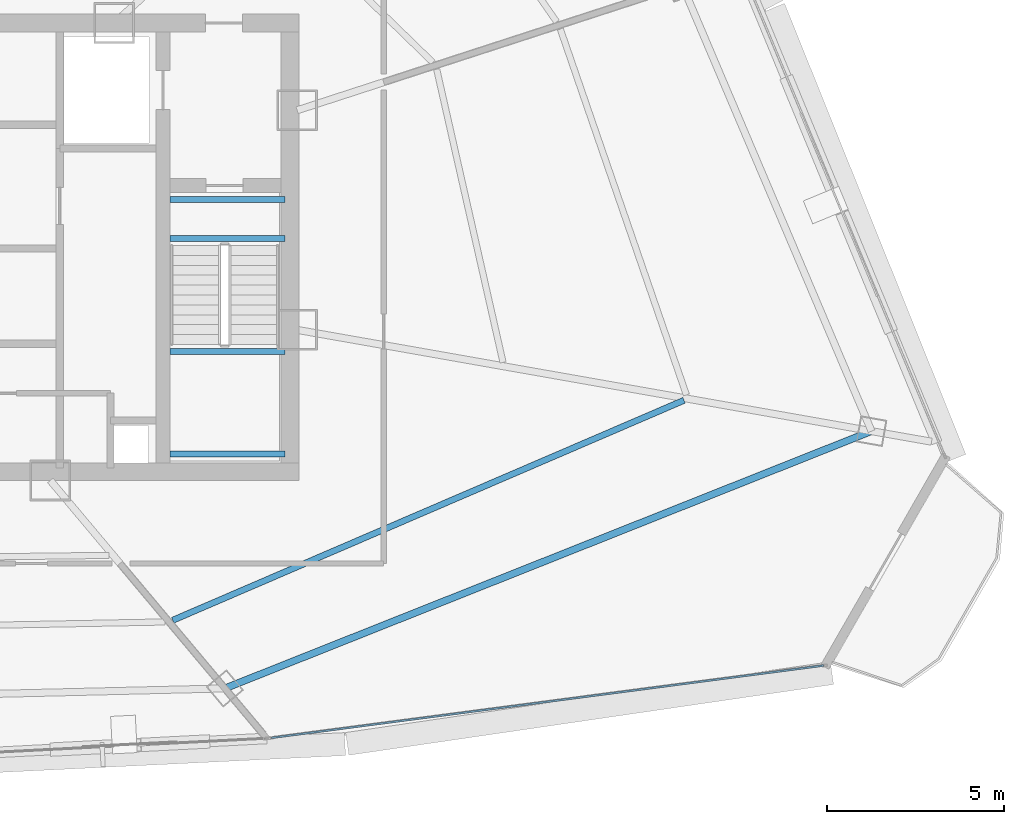
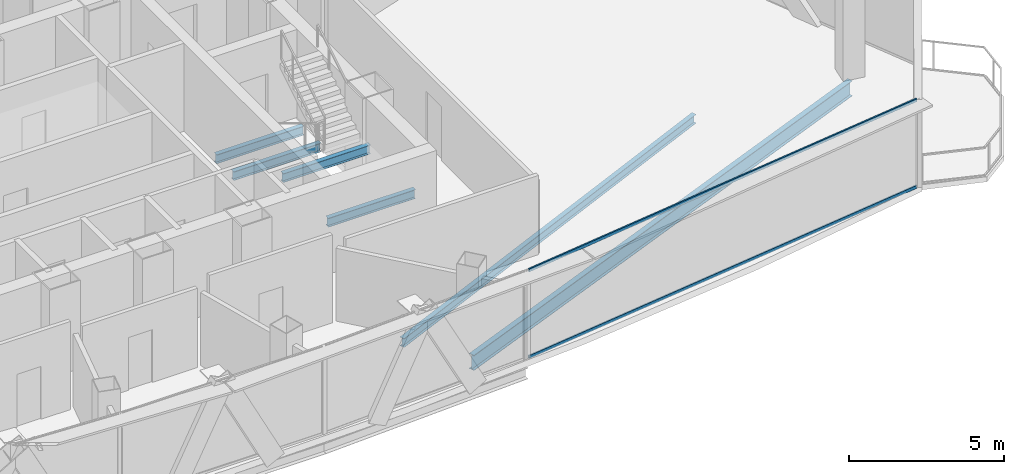
# One storey, part 11 of 33: 6 beams, 2 members, 1 element without a shape of its own.
"""IFC4 building model written with IfcOpenShell, lengths in metres."""

import ifcopenshell
import ifcopenshell.guid

model = None  # the IFC model being written
_history = None  # IfcOwnerHistory: only IFC2X3 demands one
_inside = {}  # id of a spatial element -> (the spatial element, [elements in it])
_under = {}  # id of a project, library or spatial element -> (it, [spatial elements below it])
_declared = {}  # id of a project -> (the project, [libraries it declares])
_typed = {}  # id of a type object -> (the type object, [elements of that type])
_made_of = {}  # id of a material, layer set ... -> (it, [elements and type objects made of it])


def new_model(schema):
    """Start an empty IFC model of exactly this schema.

    Asked for "IFC4X3", IfcOpenShell would pick the latest addendum, in which some entities
    have other attributes; the version numbers below select the first issue.
    IFC2X3 requires an IfcOwnerHistory on every rooted entity: one is made here for all.
    """
    global model, _history
    if schema == "IFC4X3":
        model = ifcopenshell.file(schema_version=(4, 3, 0, 0))
    else:
        model = ifcopenshell.file(schema=schema)
    _inside.clear()
    _under.clear()
    _declared.clear()
    _typed.clear()
    _made_of.clear()
    _history = None
    if model.schema == "IFC2X3":
        org = make("IfcOrganization", Name="unknown")
        user = make(
            "IfcPersonAndOrganization",
            ThePerson=make("IfcPerson", FamilyName="unknown"),
            TheOrganization=org,
        )
        app = make(
            "IfcApplication",
            ApplicationDeveloper=org,
            Version="unknown",
            ApplicationFullName="unknown",
            ApplicationIdentifier="unknown",
        )
        _history = make(
            "IfcOwnerHistory",
            OwningUser=user,
            OwningApplication=app,
            ChangeAction="ADDED",
            CreationDate=0,
        )
    return model


def make(cls, **values):
    """One entity of the class cls with the attributes given. An attribute that is None is left unset."""
    return model.create_entity(
        cls, **{name: value for name, value in values.items() if value is not None}
    )


def rooted(cls, **values):
    """An entity with a GlobalId (a new one), such as an element, a storey or a relation."""
    return make(cls, GlobalId=ifcopenshell.guid.new(), OwnerHistory=_history, **values)


def si_unit(unit_type, name, prefix=None):
    """IfcSIUnit, for example si_unit("LENGTHUNIT", "METRE", prefix="MILLI")."""
    return make("IfcSIUnit", UnitType=unit_type, Prefix=prefix, Name=name)


def assignment(units):
    """IfcUnitAssignment: the units of a project."""
    return None if units is None else make("IfcUnitAssignment", Units=units)


def point(xyz):
    """IfcCartesianPoint."""
    return None if xyz is None else make("IfcCartesianPoint", Coordinates=xyz)


def direction(xyz):
    """IfcDirection."""
    return None if xyz is None else make("IfcDirection", DirectionRatios=xyz)


def frame(location, z_axis=None, x_axis=None):
    """IfcAxis2Placement3D, a coordinate frame: its origin and axes. An axis left out is left unset."""
    return make(
        "IfcAxis2Placement3D",
        Location=point(location),
        Axis=direction(z_axis),
        RefDirection=direction(x_axis),
    )


def frame_2d(location, x_axis=None):
    """IfcAxis2Placement2D, a coordinate frame in the plane: its origin and x axis."""
    return make(
        "IfcAxis2Placement2D", Location=point(location), RefDirection=direction(x_axis)
    )


def origin():
    """The frame at (0, 0, 0) with its axes left unset."""
    return frame((0.0, 0.0, 0.0))


def origin_2d():
    """The frame at (0, 0) in the plane with its x axis left unset."""
    return frame_2d((0.0, 0.0))


def place(relative_to, where):
    """IfcLocalPlacement: puts the frame where relative to a parent placement (None: the world)."""
    return make(
        "IfcLocalPlacement", PlacementRelTo=relative_to, RelativePlacement=where
    )


def context(
    kind, dimensions, precision=None, world=None, true_north=None, identifier=None
):
    """IfcGeometricRepresentationContext, for example the 3D "Model" context."""
    return make(
        "IfcGeometricRepresentationContext",
        ContextIdentifier=identifier,
        ContextType=kind,
        CoordinateSpaceDimension=dimensions,
        Precision=precision,
        WorldCoordinateSystem=world,
        TrueNorth=true_north,
    )


def subcontext(parent, identifier, kind, view, scale=None):
    """IfcGeometricRepresentationSubContext, for example "Body" below "Model"."""
    return make(
        "IfcGeometricRepresentationSubContext",
        ContextIdentifier=identifier,
        ContextType=kind,
        ParentContext=parent,
        TargetScale=scale,
        TargetView=view,
    )


def project(units=None, contexts=None):
    """IfcProject with its units and contexts."""
    return rooted(
        "IfcProject",
        Name="project",
        RepresentationContexts=contexts,
        UnitsInContext=assignment(units),
    )


def spatial(cls, under=None, at=None, **own):
    """A site, building, storey or space (cls), placed at a placement, below another one or the project."""
    s = rooted(cls, ObjectPlacement=at, **own)
    if under is not None:
        _under.setdefault(under.id(), (under, []))[1].append(s)
    return s


def profile(cls, at=None, kind="AREA", **sizes):
    """A parametric profile (cls). Its sizes go by their IFC names, for example OverallWidth=200.0."""
    return make(cls, ProfileType=kind, Position=at, **sizes)


def hollow_rectangle(**sizes):
    """IfcRectangleHollowProfileDef."""
    return profile("IfcRectangleHollowProfileDef", **sizes)


def i_section(**sizes):
    """IfcIShapeProfileDef."""
    return profile("IfcIShapeProfileDef", **sizes)


def extrude(swept, where, along, depth):
    """IfcExtrudedAreaSolid: the profile swept, set in the frame where, extruded along a direction by depth."""
    return make(
        "IfcExtrudedAreaSolid",
        SweptArea=swept,
        Position=where,
        ExtrudedDirection=direction(along),
        Depth=depth,
    )


def shape(context_of_items, identifier, shape_type, items):
    """IfcShapeRepresentation: the items that make up one representation, for example the "Body"."""
    return make(
        "IfcShapeRepresentation",
        ContextOfItems=context_of_items,
        RepresentationIdentifier=identifier,
        RepresentationType=shape_type,
        Items=items,
    )


def source(mapping_origin, context_of_items, identifier, shape_type, items):
    """IfcRepresentationMap: a shape defined once, which mapped items show again and again."""
    return make(
        "IfcRepresentationMap",
        MappingOrigin=mapping_origin,
        MappedRepresentation=shape(context_of_items, identifier, shape_type, items),
    )


def transform(
    local_origin,
    x_axis=None,
    y_axis=None,
    z_axis=None,
    scale=None,
    scale2=None,
    scale3=None,
    uniform=True,
):
    """IfcCartesianTransformationOperator3D, or its non-uniform kind. x_axis, y_axis, z_axis: its Axis1, 2, 3."""
    if uniform:
        return make(
            "IfcCartesianTransformationOperator3D",
            Axis1=direction(x_axis),
            Axis2=direction(y_axis),
            LocalOrigin=point(local_origin),
            Scale=scale,
            Axis3=direction(z_axis),
        )
    return make(
        "IfcCartesianTransformationOperator3DnonUniform",
        Axis1=direction(x_axis),
        Axis2=direction(y_axis),
        LocalOrigin=point(local_origin),
        Scale=scale,
        Axis3=direction(z_axis),
        Scale2=scale2,
        Scale3=scale3,
    )


def mapped(mapping_source, mapping_target):
    """IfcMappedItem: shows the shape of a source again, moved by a transform."""
    return make(
        "IfcMappedItem", MappingSource=mapping_source, MappingTarget=mapping_target
    )


def material(Name=None, Category=None):
    """IfcMaterial."""
    return make("IfcMaterial", Name=Name, Category=Category)


def layer(
    of_material, thickness, ventilated=None, Name=None, Category=None, Priority=None
):
    """IfcMaterialLayer: one layer of a wall or slab, of a material (None: an air gap)."""
    return make(
        "IfcMaterialLayer",
        Material=of_material,
        LayerThickness=thickness,
        IsVentilated=ventilated,
        Name=Name,
        Category=Category,
        Priority=Priority,
    )


def layer_set(layers, Name=None):
    """IfcMaterialLayerSet."""
    return make("IfcMaterialLayerSet", MaterialLayers=layers, LayerSetName=Name)


def material_profile(
    of_material, cross_section, Name=None, Category=None, Priority=None
):
    """IfcMaterialProfile: a cross section and its material."""
    return make(
        "IfcMaterialProfile",
        Name=Name,
        Material=of_material,
        Profile=cross_section,
        Priority=Priority,
        Category=Category,
    )


def profile_set(profiles, Name=None, composite=None):
    """IfcMaterialProfileSet."""
    return make(
        "IfcMaterialProfileSet",
        Name=Name,
        MaterialProfiles=profiles,
        CompositeProfile=composite,
    )


def made_of(thing, what):
    """Note that an element or type object is made of a material, layer set ...; save() writes the relation."""
    if what is not None:
        _made_of.setdefault(what.id(), (what, []))[1].append(thing)
    return thing


def type_object(cls, material=None, **own):
    """A type object (cls), such as IfcWallType, which elements share."""
    return made_of(rooted(cls, **own), material)


def element(
    cls,
    number,
    at=None,
    inside=None,
    cuts=None,
    type_object=None,
    material=None,
    context=None,
    identifier="Body",
    shape_type=None,
    held_by="IfcProductDefinitionShape",
    body=None,
    shapes=None,
    **own,
):
    """One element of the class cls, such as IfcWall. Its Tag is "e" and its number.

    at: its placement. inside: the storey or other place that contains it. cuts: it is an
    opening in that element (IfcRelVoidsElement). A single representation is given by context,
    identifier, shape_type and body (its items); several are given by shapes. held_by: the class
    of the entity that holds the representations. save() writes the other relations.
    """
    e = rooted(cls, Tag="e%d" % number, ObjectPlacement=at, **own)
    if body is not None:
        shapes = [shape(context, identifier, shape_type, body)]
    if shapes is not None:
        e.Representation = make(held_by, Representations=shapes)
    if inside is not None:
        _inside.setdefault(inside.id(), (inside, []))[1].append(e)
    if cuts is not None:
        rooted(
            "IfcRelVoidsElement", RelatingBuildingElement=cuts, RelatedOpeningElement=e
        )
    if type_object is not None:
        _typed.setdefault(type_object.id(), (type_object, []))[1].append(e)
    return made_of(e, material)


def aggregate(whole, parts):
    """IfcRelAggregates: a whole, such as a stair, and the parts it consists of."""
    return rooted("IfcRelAggregates", RelatingObject=whole, RelatedObjects=parts)


def save(model, path):
    """Write the relations noted so far, then the file.

    IfcRelAggregates (storeys below a building ...), IfcRelContainedInSpatialStructure (elements
    in a storey), IfcRelDefinesByType, IfcRelAssociatesMaterial and IfcRelDeclares: one each for
    every whole, place, type object, material and project.
    """
    for whole, parts in _under.values():
        aggregate(whole, parts)
    for where, things in _inside.values():
        rooted(
            "IfcRelContainedInSpatialStructure",
            RelatedElements=things,
            RelatingStructure=where,
        )
    for kind, things in _typed.values():
        rooted("IfcRelDefinesByType", RelatedObjects=things, RelatingType=kind)
    for what, things in _made_of.values():
        rooted("IfcRelAssociatesMaterial", RelatedObjects=things, RelatingMaterial=what)
    for by, libraries in _declared.values():
        rooted("IfcRelDeclares", RelatingContext=by, RelatedDefinitions=libraries)
    model.write(path)


model = new_model("IFC4")

# Units and contexts
model_context = context("Model", 3, precision=1e-05, world=origin(), true_north=direction((0.0, 1.0)))
body_context = subcontext(model_context, "Body", "Model", "MODEL_VIEW")
ifc_project = project(units=[si_unit("LENGTHUNIT", "METRE"), si_unit("AREAUNIT", "SQUARE_METRE"), si_unit("VOLUMEUNIT", "CUBIC_METRE"), si_unit("PLANEANGLEUNIT", "RADIAN"), si_unit("MASSUNIT", "GRAM", prefix="KILO"), si_unit("THERMODYNAMICTEMPERATUREUNIT", "KELVIN"), si_unit("POWERUNIT", "WATT")], contexts=[model_context])

# Site, building, storey
site_placement = place(None, origin())
site = spatial("IfcSite", under=ifc_project, at=site_placement, CompositionType="ELEMENT")
building_placement = place(site_placement, origin())
building = spatial("IfcBuilding", under=site, at=building_placement, Name="Yunzhuo Pagoda Commons", CompositionType="ELEMENT")
storey_placement = place(building_placement, frame((0.0, 0.0, 307.39990234375)))
storey = spatial("IfcBuildingStorey", under=building, at=storey_placement, Name="L77", CompositionType="ELEMENT", Elevation=307.39990234375)

# Beams
ifc_material_1 = material(Name="Structural steel Q355B", Category="steel")
ifc_material_profile_1 = material_profile(ifc_material_1, i_section(OverallWidth=0.175048828125, OverallDepth=0.35009765625, WebThickness=0.007080078125, FlangeThickness=0.010986328125, at=origin_2d()), Name="Structural steel Q355B")
ifc_profile_set_1 = profile_set([ifc_material_profile_1], Name="Structural steel Q355B")
beam_type_1 = type_object("IfcBeamType", Name="B-JS2 Joist HN 350x175x7x11", PredefinedType="JOIST", material=ifc_profile_set_1)
shared_shape_1 = source(origin(), body_context, "Body", "SweptSolid", [
    extrude(i_section(OverallWidth=0.175048828125, OverallDepth=0.35009765625, WebThickness=0.007080078125, FlangeThickness=0.010986328125, at=origin_2d()), origin(), (0.0, 0.0, 1.0), 3.25),
])
for number, where, z_axis, x_axis, name in (
    (1, (56.800048828125, 28.0, 1.489990234375), (1.0, 0.0, 0.0), (0.0, 1.0, 0.0), "L77 ST2 landing support beam 83A"),
    (2, (56.800048828125, 30.89990234375, 1.489990234375), (1.0, 0.0, 0.0), (0.0, 1.0, 0.0), "L77 ST2 landing support beam 83B"),
    (3, (56.800048828125, 34.10009765625, -0.375), (1.0, 0.0, 0.0), (0.0, 1.0, 0.0), "L77 ST2 landing support beam 181A"),
    (4, (56.800048828125, 35.199951171875, -0.375), (1.0, 0.0, 0.0), (0.0, 1.0, 0.0), "L77 ST2 landing support beam 181B"),
):
    element("IfcBeam", number, at=place(storey_placement, frame(where, z_axis=z_axis, x_axis=x_axis)), inside=storey, type_object=beam_type_1, Name=name, PredefinedType="JOIST", context=body_context, shape_type="MappedRepresentation", body=[
        mapped(shared_shape_1, transform((0.0, 0.0, 0.0), scale=1.0)),
    ])
ifc_material_profile_2 = material_profile(ifc_material_1, i_section(OverallWidth=0.199951171875, OverallDepth=0.60009765625, WebThickness=0.010986328125, FlangeThickness=0.01708984375, at=origin_2d()), Name="Structural steel Q355B")
ifc_profile_set_2 = profile_set([ifc_material_profile_2], Name="Structural steel Q355B")
beam_type_2 = type_object("IfcBeamType", Name="B-RG3 Beam HN 600x200x11x17", PredefinedType="BEAM", material=ifc_profile_set_2)
shared_shape_2 = source(origin(), body_context, "Body", "SweptSolid", [
    extrude(i_section(OverallWidth=0.199951171875, OverallDepth=0.60009765625, WebThickness=0.010986328125, FlangeThickness=0.01708984375, at=origin_2d()), origin(), (0.0, 0.0, 1.0), 19.7041015625),
])
beam_1_placement = place(storey_placement, frame((58.353515625, 21.361572265625, -0.559814453125), z_axis=(0.929150216007, 0.369702415592, 0.0), x_axis=(-0.369702415592, 0.929150216007, 0.0)))
element("IfcBeam", 5, at=beam_1_placement, inside=storey, type_object=beam_type_2, Name="L77 column-ring beam 4", PredefinedType="BEAM", context=body_context, shape_type="MappedRepresentation", body=[
    mapped(shared_shape_2, transform((0.0, 0.0, 0.0), scale=1.0)),
])
shared_shape_3 = source(origin(), body_context, "Body", "SweptSolid", [
    extrude(i_section(OverallWidth=0.175048828125, OverallDepth=0.35009765625, WebThickness=0.007080078125, FlangeThickness=0.010986328125, at=origin_2d()), origin(), (0.0, 0.0, 1.0), 15.757080078125),
])
beam_2_placement = place(storey_placement, frame((56.8779296875, 23.291259765625, -0.434814453125), z_axis=(0.918592756952, 0.395205448945, 0.0), x_axis=(-0.395205448945, 0.918592756952, 0.0)))
element("IfcBeam", 6, at=beam_2_placement, inside=storey, type_object=beam_type_1, Name="L77 composite ring joist 2.4", PredefinedType="JOIST", context=body_context, shape_type="MappedRepresentation", body=[
    mapped(shared_shape_3, transform((0.0, 0.0, 0.0), scale=1.0)),
])

# Curtain wall, members
ifc_material_2 = material(Name="Anodized aluminium 6063-T6", Category="aluminium")
ifc_layer = layer(ifc_material_2, 0.139892578125)
ifc_layer_set = layer_set([ifc_layer], Name="Anodized aluminium 6063-T6")
curtain_wall_type = type_object("IfcCurtainWallType", Name="CW-HI High-Zone Ribbon Curtain Wall", PredefinedType="NOTDEFINED", material=ifc_layer_set)
curtain_wall_placement = place(storey_placement, origin())
curtain_wall = element("IfcCurtainWall", 7, at=curtain_wall_placement, inside=storey, type_object=curtain_wall_type, Name="L77 curtain wall CW-L77-F1B5", PredefinedType="NOTDEFINED")
ifc_material_profile_3 = material_profile(ifc_material_2, hollow_rectangle(XDim=0.054931640625, YDim=0.1201171875, WallThickness=0.00341796875, at=origin_2d()), Name="Anodized aluminium 6063-T6")
ifc_profile_set_3 = profile_set([ifc_material_profile_3], Name="Anodized aluminium 6063-T6")
member_type = type_object("IfcMemberType", Name="CW-HI-T Transom RHS 120x55x3.5", PredefinedType="USERDEFINED", material=ifc_profile_set_3)
shared_shape_4 = source(origin(), body_context, "Body", "SweptSolid", [
    extrude(hollow_rectangle(XDim=0.054931640625, YDim=0.1201171875, WallThickness=0.00341796875, at=origin_2d()), origin(), (0.0, 0.0, 1.0), 15.765625),
])
member_1_placement = place(storey_placement, frame((59.67529296875, 19.962890625, 0.027587890625), z_axis=(0.99153396289, 0.129847604661, 0.0), x_axis=(-0.129847604661, 0.99153396289, 0.0)))
member_1 = element("IfcMember", 8, at=member_1_placement, type_object=member_type, Name="CW transom 1.1", ObjectType="TRANSOM", PredefinedType="USERDEFINED", context=body_context, shape_type="MappedRepresentation", body=[
    mapped(shared_shape_4, transform((0.0, 0.0, 0.0), scale=1.0)),
])
member_2_placement = place(storey_placement, frame((59.67529296875, 19.962890625, 3.442626953125), z_axis=(0.99153396289, 0.129847604661, 0.0), x_axis=(-0.129847604661, 0.99153396289, 0.0)))
member_2 = element("IfcMember", 9, at=member_2_placement, type_object=member_type, Name="CW transom 1.2", ObjectType="TRANSOM", PredefinedType="USERDEFINED", context=body_context, shape_type="MappedRepresentation", body=[
    mapped(shared_shape_4, transform((0.0, 0.0, 0.0), scale=1.0)),
])
aggregate(curtain_wall, [member_1, member_2])

save(model, "model.ifc")
